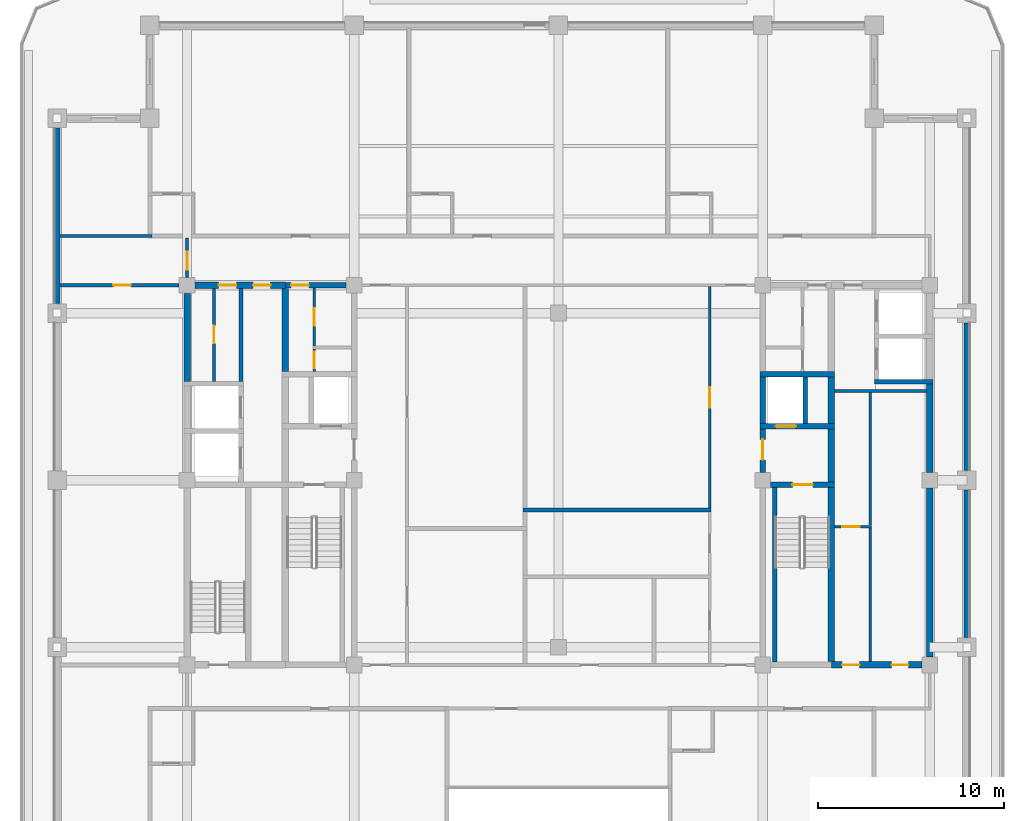
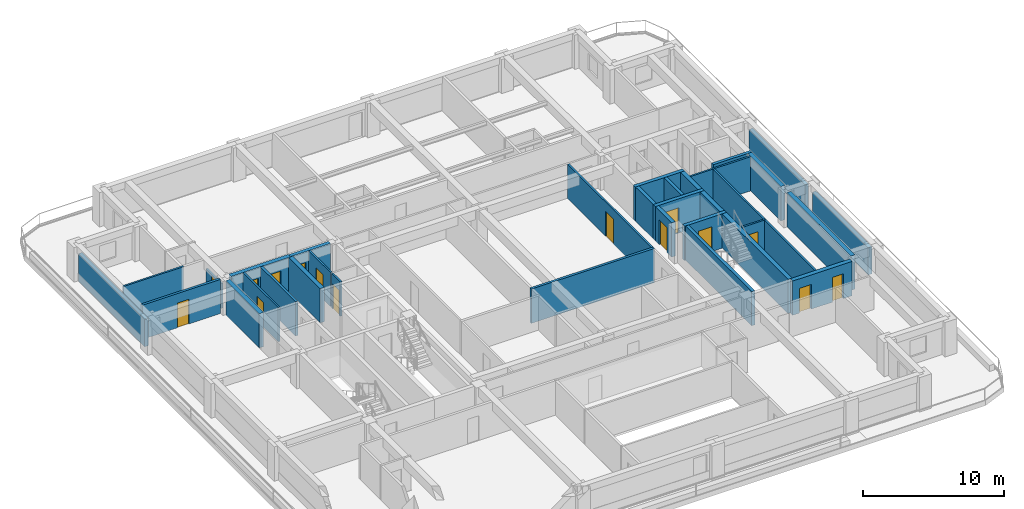
# One storey, part 4 of 13: 34 walls, 15 doors, 15 openings.
"""IFC4 building model written with IfcOpenShell, lengths in metres."""

import ifcopenshell
import ifcopenshell.guid

model = None  # the IFC model being written
_history = None  # IfcOwnerHistory: only IFC2X3 demands one
_inside = {}  # id of a spatial element -> (the spatial element, [elements in it])
_under = {}  # id of a project, library or spatial element -> (it, [spatial elements below it])
_declared = {}  # id of a project -> (the project, [libraries it declares])
_typed = {}  # id of a type object -> (the type object, [elements of that type])
_made_of = {}  # id of a material, layer set ... -> (it, [elements and type objects made of it])


def new_model(schema):
    """Start an empty IFC model of exactly this schema.

    Asked for "IFC4X3", IfcOpenShell would pick the latest addendum, in which some entities
    have other attributes; the version numbers below select the first issue.
    IFC2X3 requires an IfcOwnerHistory on every rooted entity: one is made here for all.
    """
    global model, _history
    if schema == "IFC4X3":
        model = ifcopenshell.file(schema_version=(4, 3, 0, 0))
    else:
        model = ifcopenshell.file(schema=schema)
    _inside.clear()
    _under.clear()
    _declared.clear()
    _typed.clear()
    _made_of.clear()
    _history = None
    if model.schema == "IFC2X3":
        org = make("IfcOrganization", Name="unknown")
        user = make(
            "IfcPersonAndOrganization",
            ThePerson=make("IfcPerson", FamilyName="unknown"),
            TheOrganization=org,
        )
        app = make(
            "IfcApplication",
            ApplicationDeveloper=org,
            Version="unknown",
            ApplicationFullName="unknown",
            ApplicationIdentifier="unknown",
        )
        _history = make(
            "IfcOwnerHistory",
            OwningUser=user,
            OwningApplication=app,
            ChangeAction="ADDED",
            CreationDate=0,
        )
    return model


def make(cls, **values):
    """One entity of the class cls with the attributes given. An attribute that is None is left unset."""
    return model.create_entity(
        cls, **{name: value for name, value in values.items() if value is not None}
    )


def rooted(cls, **values):
    """An entity with a GlobalId (a new one), such as an element, a storey or a relation."""
    return make(cls, GlobalId=ifcopenshell.guid.new(), OwnerHistory=_history, **values)


def si_unit(unit_type, name, prefix=None):
    """IfcSIUnit, for example si_unit("LENGTHUNIT", "METRE", prefix="MILLI")."""
    return make("IfcSIUnit", UnitType=unit_type, Prefix=prefix, Name=name)


def assignment(units):
    """IfcUnitAssignment: the units of a project."""
    return None if units is None else make("IfcUnitAssignment", Units=units)


def point(xyz):
    """IfcCartesianPoint."""
    return None if xyz is None else make("IfcCartesianPoint", Coordinates=xyz)


def direction(xyz):
    """IfcDirection."""
    return None if xyz is None else make("IfcDirection", DirectionRatios=xyz)


def frame(location, z_axis=None, x_axis=None):
    """IfcAxis2Placement3D, a coordinate frame: its origin and axes. An axis left out is left unset."""
    return make(
        "IfcAxis2Placement3D",
        Location=point(location),
        Axis=direction(z_axis),
        RefDirection=direction(x_axis),
    )


def frame_2d(location, x_axis=None):
    """IfcAxis2Placement2D, a coordinate frame in the plane: its origin and x axis."""
    return make(
        "IfcAxis2Placement2D", Location=point(location), RefDirection=direction(x_axis)
    )


def origin():
    """The frame at (0, 0, 0) with its axes left unset."""
    return frame((0.0, 0.0, 0.0))


def place(relative_to, where):
    """IfcLocalPlacement: puts the frame where relative to a parent placement (None: the world)."""
    return make(
        "IfcLocalPlacement", PlacementRelTo=relative_to, RelativePlacement=where
    )


def context(
    kind, dimensions, precision=None, world=None, true_north=None, identifier=None
):
    """IfcGeometricRepresentationContext, for example the 3D "Model" context."""
    return make(
        "IfcGeometricRepresentationContext",
        ContextIdentifier=identifier,
        ContextType=kind,
        CoordinateSpaceDimension=dimensions,
        Precision=precision,
        WorldCoordinateSystem=world,
        TrueNorth=true_north,
    )


def subcontext(parent, identifier, kind, view, scale=None):
    """IfcGeometricRepresentationSubContext, for example "Body" below "Model"."""
    return make(
        "IfcGeometricRepresentationSubContext",
        ContextIdentifier=identifier,
        ContextType=kind,
        ParentContext=parent,
        TargetScale=scale,
        TargetView=view,
    )


def project(units=None, contexts=None):
    """IfcProject with its units and contexts."""
    return rooted(
        "IfcProject",
        Name="project",
        RepresentationContexts=contexts,
        UnitsInContext=assignment(units),
    )


def spatial(cls, under=None, at=None, **own):
    """A site, building, storey or space (cls), placed at a placement, below another one or the project."""
    s = rooted(cls, ObjectPlacement=at, **own)
    if under is not None:
        _under.setdefault(under.id(), (under, []))[1].append(s)
    return s


def profile(cls, at=None, kind="AREA", **sizes):
    """A parametric profile (cls). Its sizes go by their IFC names, for example OverallWidth=200.0."""
    return make(cls, ProfileType=kind, Position=at, **sizes)


def rectangle(**sizes):
    """IfcRectangleProfileDef."""
    return profile("IfcRectangleProfileDef", **sizes)


def extrude(swept, where, along, depth):
    """IfcExtrudedAreaSolid: the profile swept, set in the frame where, extruded along a direction by depth."""
    return make(
        "IfcExtrudedAreaSolid",
        SweptArea=swept,
        Position=where,
        ExtrudedDirection=direction(along),
        Depth=depth,
    )


def shape(context_of_items, identifier, shape_type, items):
    """IfcShapeRepresentation: the items that make up one representation, for example the "Body"."""
    return make(
        "IfcShapeRepresentation",
        ContextOfItems=context_of_items,
        RepresentationIdentifier=identifier,
        RepresentationType=shape_type,
        Items=items,
    )


def material(Name=None, Category=None):
    """IfcMaterial."""
    return make("IfcMaterial", Name=Name, Category=Category)


def layer(
    of_material, thickness, ventilated=None, Name=None, Category=None, Priority=None
):
    """IfcMaterialLayer: one layer of a wall or slab, of a material (None: an air gap)."""
    return make(
        "IfcMaterialLayer",
        Material=of_material,
        LayerThickness=thickness,
        IsVentilated=ventilated,
        Name=Name,
        Category=Category,
        Priority=Priority,
    )


def layer_set(layers, Name=None):
    """IfcMaterialLayerSet."""
    return make("IfcMaterialLayerSet", MaterialLayers=layers, LayerSetName=Name)


def made_of(thing, what):
    """Note that an element or type object is made of a material, layer set ...; save() writes the relation."""
    if what is not None:
        _made_of.setdefault(what.id(), (what, []))[1].append(thing)
    return thing


def type_object(cls, material=None, **own):
    """A type object (cls), such as IfcWallType, which elements share."""
    return made_of(rooted(cls, **own), material)


def element(
    cls,
    number,
    at=None,
    inside=None,
    cuts=None,
    type_object=None,
    material=None,
    context=None,
    identifier="Body",
    shape_type=None,
    held_by="IfcProductDefinitionShape",
    body=None,
    shapes=None,
    **own,
):
    """One element of the class cls, such as IfcWall. Its Tag is "e" and its number.

    at: its placement. inside: the storey or other place that contains it. cuts: it is an
    opening in that element (IfcRelVoidsElement). A single representation is given by context,
    identifier, shape_type and body (its items); several are given by shapes. held_by: the class
    of the entity that holds the representations. save() writes the other relations.
    """
    e = rooted(cls, Tag="e%d" % number, ObjectPlacement=at, **own)
    if body is not None:
        shapes = [shape(context, identifier, shape_type, body)]
    if shapes is not None:
        e.Representation = make(held_by, Representations=shapes)
    if inside is not None:
        _inside.setdefault(inside.id(), (inside, []))[1].append(e)
    if cuts is not None:
        rooted(
            "IfcRelVoidsElement", RelatingBuildingElement=cuts, RelatedOpeningElement=e
        )
    if type_object is not None:
        _typed.setdefault(type_object.id(), (type_object, []))[1].append(e)
    return made_of(e, material)


def fill(opening, filler):
    """IfcRelFillsElement: the door or window that sits in an opening."""
    return rooted(
        "IfcRelFillsElement",
        RelatingOpeningElement=opening,
        RelatedBuildingElement=filler,
    )


def aggregate(whole, parts):
    """IfcRelAggregates: a whole, such as a stair, and the parts it consists of."""
    return rooted("IfcRelAggregates", RelatingObject=whole, RelatedObjects=parts)


def save(model, path):
    """Write the relations noted so far, then the file.

    IfcRelAggregates (storeys below a building ...), IfcRelContainedInSpatialStructure (elements
    in a storey), IfcRelDefinesByType, IfcRelAssociatesMaterial and IfcRelDeclares: one each for
    every whole, place, type object, material and project.
    """
    for whole, parts in _under.values():
        aggregate(whole, parts)
    for where, things in _inside.values():
        rooted(
            "IfcRelContainedInSpatialStructure",
            RelatedElements=things,
            RelatingStructure=where,
        )
    for kind, things in _typed.values():
        rooted("IfcRelDefinesByType", RelatedObjects=things, RelatingType=kind)
    for what, things in _made_of.values():
        rooted("IfcRelAssociatesMaterial", RelatedObjects=things, RelatingMaterial=what)
    for by, libraries in _declared.values():
        rooted("IfcRelDeclares", RelatingContext=by, RelatedDefinitions=libraries)
    model.write(path)


model = new_model("IFC4")

# Units and contexts
model_context = context("Model", 3, precision=1e-05, world=origin(), true_north=direction((0.0, 1.0)))
body_context = subcontext(model_context, "Body", "Model", "MODEL_VIEW")
ifc_project = project(units=[si_unit("LENGTHUNIT", "METRE"), si_unit("AREAUNIT", "SQUARE_METRE"), si_unit("VOLUMEUNIT", "CUBIC_METRE"), si_unit("PLANEANGLEUNIT", "RADIAN"), si_unit("MASSUNIT", "GRAM", prefix="KILO")], contexts=[model_context])

# Site, building, storey
site_placement = place(None, origin())
site = spatial("IfcSite", under=ifc_project, at=site_placement, CompositionType="ELEMENT")
building_placement = place(site_placement, origin())
building = spatial("IfcBuilding", under=site, at=building_placement, Name="Zulmaris Gate Convention Tower", CompositionType="ELEMENT")
storey_placement = place(building_placement, frame((0.0, 0.0, 218.659912109375)))
storey = spatial("IfcBuildingStorey", under=building, at=storey_placement, Name="L57", CompositionType="ELEMENT", Elevation=218.659912109375)

# Walls
ifc_material_1 = material(Name="Concrete C50/60", Category="concrete")
ifc_layer_1 = layer(ifc_material_1, 0.25, Name="Concrete C50/60")
ifc_layer_set_1 = layer_set([ifc_layer_1], Name="Concrete C50/60")
wall_type_1 = type_object("IfcWallType", Name="CORE-250", PredefinedType="SOLIDWALL", material=ifc_layer_set_1)
wall_1_placement = place(storey_placement, frame((17.02490234375, 5.300048828125, 0.0), z_axis=(0.0, 0.0, 1.0), x_axis=(1.0, 0.0, 0.0)))
element("IfcWall", 1, at=wall_1_placement, inside=storey, type_object=wall_type_1, Name="WL-L57-011", PredefinedType="SOLIDWALL", context=body_context, shape_type="SweptSolid", body=[
    extrude(rectangle(XDim=3.150146484375, YDim=0.25, at=frame_2d((1.5751953125, 0.0))), origin(), (0.0, 0.0, 1.0), 2.97509765625),
])
wall_2_placement = place(storey_placement, frame((11.64990234375, -9.798095703125, 0.0), z_axis=(0.0, 0.0, 1.0), x_axis=(0.0, 1.0, 0.0)))
element("IfcWall", 2, at=wall_2_placement, inside=storey, type_object=wall_type_1, Name="WL-L57-065", PredefinedType="SOLIDWALL", context=body_context, shape_type="SweptSolid", body=[
    extrude(rectangle(XDim=9.39599609375, YDim=0.25, at=frame_2d((4.697998046875, 0.0))), origin(), (0.0, 0.0, 1.0), 2.97509765625),
])
wall_3_placement = place(storey_placement, frame((13.300048828125, 3.052001953125, 0.0), z_axis=(0.0, 0.0, 1.0), x_axis=(0.0, 1.0, 0.0)))
element("IfcWall", 3, at=wall_3_placement, inside=storey, type_object=wall_type_1, Name="WL-L57-066", PredefinedType="SOLIDWALL", context=body_context, shape_type="SweptSolid", body=[
    extrude(rectangle(XDim=2.49609375, YDim=0.25, at=frame_2d((1.248046875, 0.0))), origin(), (0.0, 0.0, 1.0), 2.97509765625),
])

# Wall, opening, door
ifc_layer_2 = layer(ifc_material_1, 0.300048828125, Name="Concrete C50/60")
ifc_layer_set_2 = layer_set([ifc_layer_2], Name="Concrete C50/60")
wall_type_2 = type_object("IfcWallType", Name="CORE-300", PredefinedType="SHEAR", material=ifc_layer_set_2)
wall_4_placement = place(storey_placement, frame((11.428955078125, -0.25, 0.0), z_axis=(0.0, 0.0, 1.0), x_axis=(1.0, 0.0, 0.0)))
wall_4 = element("IfcWall", 4, at=wall_4_placement, inside=storey, type_object=wall_type_2, Name="WL-L57-006", PredefinedType="SHEAR", context=body_context, shape_type="SweptSolid", body=[
    extrude(rectangle(XDim=3.446044921875, YDim=0.300048828125, at=frame_2d((1.72314453125, 0.0))), origin(), (0.0, 0.0, 1.0), 2.97509765625),
])
opening_1_placement = place(wall_4_placement, frame((1.1708984375, 0.0, 0.0)))
opening_1 = element("IfcOpeningElement", 5, at=opening_1_placement, cuts=wall_4, Name="Opening D-08", PredefinedType="OPENING", context=body_context, shape_type="SweptSolid", body=[
    extrude(rectangle(XDim=1.10009765625, YDim=2.14990234375, at=frame_2d((0.550048828125, 1.074951171875))), frame((0.0, 0.16015625, 0.0), z_axis=(0.0, -1.0, 0.0), x_axis=(1.0, 0.0, 0.0)), (0.0, 0.0, 1.0), 0.320068359375),
])
ifc_material_2 = material(Name="Fire-Rated Steel", Category="steel")
door_type_1 = type_object("IfcDoorType", Name="DR-1100-FD", OperationType="NOTDEFINED", PredefinedType="DOOR", material=ifc_material_2)
door_1_placement = place(opening_1_placement, origin())
door_1 = element("IfcDoor", 6, at=door_1_placement, inside=storey, type_object=door_type_1, Name="L57 Exit Stair ST-2 Door 04", OperationType="SINGLE_SWING_RIGHT", OverallHeight=2.14990234375, OverallWidth=1.10009765625, PredefinedType="DOOR", context=body_context, shape_type="SweptSolid", body=[
    extrude(rectangle(XDim=1.10009765625, YDim=2.14990234375, at=frame_2d((0.550048828125, 1.074951171875))), frame((0.0, 0.02490234375, 0.0), z_axis=(0.0, -1.0, 0.0), x_axis=(1.0, 0.0, 0.0)), (0.0, 0.0, 1.0), 0.050048828125),
])
fill(opening_1, door_1)

wall_5_placement = place(storey_placement, frame((10.85009765625, 2.89990234375, 0.0), z_axis=(0.0, 0.0, 1.0), x_axis=(1.0, 0.0, 0.0)))
wall_5 = element("IfcWall", 7, at=wall_5_placement, inside=storey, type_object=wall_type_2, Name="WL-L57-009", PredefinedType="SHEAR", context=body_context, shape_type="SweptSolid", body=[
    extrude(rectangle(XDim=4.02490234375, YDim=0.300048828125, at=frame_2d((2.012451171875, 0.0))), origin(), (0.0, 0.0, 1.0), 2.97509765625),
])
opening_2_placement = place(wall_5_placement, frame((0.85009765625, 0.0, 0.0)))
opening_2 = element("IfcOpeningElement", 8, at=opening_2_placement, cuts=wall_5, Name="Opening D-06", PredefinedType="OPENING", context=body_context, shape_type="SweptSolid", body=[
    extrude(rectangle(XDim=1.10009765625, YDim=2.199951171875, at=frame_2d((0.550048828125, 1.10009765625))), frame((0.0, 0.16015625, 0.0), z_axis=(0.0, -1.0, 0.0), x_axis=(1.0, 0.0, 0.0)), (0.0, 0.0, 1.0), 0.320068359375),
])
ifc_material_3 = material(Name="Brushed Stainless Steel", Category="steel")
door_type_2 = type_object("IfcDoorType", Name="LD-1100", OperationType="NOTDEFINED", PredefinedType="DOOR", material=ifc_material_3)
door_2_placement = place(opening_2_placement, origin())
door_2 = element("IfcDoor", 9, at=door_2_placement, inside=storey, type_object=door_type_2, Name="L57 Lift Landing Door LF-02 06", OperationType="SLIDING_TO_RIGHT", OverallHeight=2.199951171875, OverallWidth=1.10009765625, PredefinedType="DOOR", context=body_context, shape_type="SweptSolid", body=[
    extrude(rectangle(XDim=1.10009765625, YDim=2.199951171875, at=frame_2d((0.550048828125, 1.10009765625))), frame((0.0, 0.02490234375, 0.0), z_axis=(0.0, -1.0, 0.0), x_axis=(1.0, 0.0, 0.0)), (0.0, 0.0, 1.0), 0.050048828125),
])
fill(opening_2, door_2)

# Wall
wall_6_placement = place(storey_placement, frame((10.85009765625, 5.699951171875, 0.0), z_axis=(0.0, 0.0, 1.0), x_axis=(1.0, 0.0, 0.0)))
element("IfcWall", 10, at=wall_6_placement, inside=storey, type_object=wall_type_2, Name="WL-L57-013", PredefinedType="SHEAR", context=body_context, shape_type="SweptSolid", body=[
    extrude(rectangle(XDim=4.02490234375, YDim=0.300048828125, at=frame_2d((2.012451171875, 0.0))), origin(), (0.0, 0.0, 1.0), 2.97509765625),
])

# Wall, opening, door
wall_7_placement = place(storey_placement, frame((-14.699951171875, 10.5, 0.0), z_axis=(0.0, 0.0, 1.0), x_axis=(1.0, 0.0, 0.0)))
wall_7 = element("IfcWall", 11, at=wall_7_placement, inside=storey, type_object=wall_type_2, Name="WL-L57-016", PredefinedType="SHEAR", context=body_context, shape_type="SweptSolid", body=[
    extrude(rectangle(XDim=3.27099609375, YDim=0.300048828125, at=frame_2d((1.635498046875, 0.0))), origin(), (0.0, 0.0, 1.0), 2.97509765625),
])
opening_3_placement = place(wall_7_placement, frame((0.304931640625, 0.0, 0.0)))
opening_3 = element("IfcOpeningElement", 12, at=opening_3_placement, cuts=wall_7, Name="Opening D-25", PredefinedType="OPENING", context=body_context, shape_type="SweptSolid", body=[
    extrude(rectangle(XDim=0.949951171875, YDim=2.02001953125, at=frame_2d((0.47509765625, 1.010009765625))), frame((0.0, 0.16015625, 0.0), z_axis=(0.0, -1.0, 0.0), x_axis=(1.0, 0.0, 0.0)), (0.0, 0.0, 1.0), 0.320068359375),
])
door_type_3 = type_object("IfcDoorType", Name="DR-950-LOW-FD", OperationType="NOTDEFINED", PredefinedType="DOOR", material=ifc_material_2)
door_3_placement = place(opening_3_placement, origin())
door_3 = element("IfcDoor", 13, at=door_3_placement, inside=storey, type_object=door_type_3, Name="L57 Core West Passage Door 07", OperationType="SINGLE_SWING_RIGHT", OverallHeight=2.02001953125, OverallWidth=0.949951171875, PredefinedType="DOOR", context=body_context, shape_type="SweptSolid", body=[
    extrude(rectangle(XDim=0.949951171875, YDim=2.02001953125, at=frame_2d((0.47509765625, 1.010009765625))), frame((0.0, 0.02490234375, 0.0), z_axis=(0.0, -1.0, 0.0), x_axis=(1.0, 0.0, 0.0)), (0.0, 0.0, 1.0), 0.050048828125),
])
fill(opening_3, door_3)

wall_8_placement = place(storey_placement, frame((11.0, 0.428955078125, 0.0), z_axis=(0.0, 0.0, 1.0), x_axis=(0.0, 1.0, 0.0)))
wall_8 = element("IfcWall", 14, at=wall_8_placement, inside=storey, type_object=wall_type_2, Name="WL-L57-062", PredefinedType="SHEAR", context=body_context, shape_type="SweptSolid", body=[
    extrude(rectangle(XDim=2.319091796875, YDim=0.300048828125, at=frame_2d((1.15966796875, 0.0))), origin(), (0.0, 0.0, 1.0), 2.97509765625),
])
opening_4_placement = place(wall_8_placement, frame((0.6708984375, 0.0, 0.0)))
opening_4 = element("IfcOpeningElement", 15, at=opening_4_placement, cuts=wall_8, Name="Opening D-08", PredefinedType="OPENING", context=body_context, shape_type="SweptSolid", body=[
    extrude(rectangle(XDim=1.10009765625, YDim=2.14990234375, at=frame_2d((0.550048828125, 1.074951171875))), frame((0.0, 0.16015625, 0.0), z_axis=(0.0, -1.0, 0.0), x_axis=(1.0, 0.0, 0.0)), (0.0, 0.0, 1.0), 0.320068359375),
])
door_4_placement = place(opening_4_placement, origin())
door_4 = element("IfcDoor", 16, at=door_4_placement, inside=storey, type_object=door_type_1, Name="L57 East Firefighting Lobby Door 05", OperationType="SINGLE_SWING_LEFT", OverallHeight=2.14990234375, OverallWidth=1.10009765625, PredefinedType="DOOR", context=body_context, shape_type="SweptSolid", body=[
    extrude(rectangle(XDim=1.10009765625, YDim=2.14990234375, at=frame_2d((0.550048828125, 1.074951171875))), frame((0.0, 0.02490234375, 0.0), z_axis=(0.0, -1.0, 0.0), x_axis=(1.0, 0.0, 0.0)), (0.0, 0.0, 1.0), 0.050048828125),
])
fill(opening_4, door_4)

# Wall
wall_9_placement = place(storey_placement, frame((11.0, 3.052001953125, 0.0), z_axis=(0.0, 0.0, 1.0), x_axis=(0.0, 1.0, 0.0)))
element("IfcWall", 17, at=wall_9_placement, inside=storey, type_object=wall_type_2, Name="WL-L57-063", PredefinedType="SHEAR", context=body_context, shape_type="SweptSolid", body=[
    extrude(rectangle(XDim=2.49609375, YDim=0.300048828125, at=frame_2d((1.248046875, 0.0))), origin(), (0.0, 0.0, 1.0), 2.97509765625),
])

# Wall, openings, doors
ifc_material_4 = material(Name="Concrete C55/67", Category="concrete")
ifc_layer_3 = layer(ifc_material_4, 0.35009765625, Name="Concrete C55/67")
ifc_layer_set_3 = layer_set([ifc_layer_3], Name="Concrete C55/67")
wall_type_3 = type_object("IfcWallType", Name="CORE-350", PredefinedType="SHEAR", material=ifc_layer_set_3)
wall_10_placement = place(storey_placement, frame((14.699951171875, -9.949951171875, 0.0), z_axis=(0.0, 0.0, 1.0), x_axis=(1.0, 0.0, 0.0)))
wall_10 = element("IfcWall", 18, at=wall_10_placement, inside=storey, type_object=wall_type_3, Name="WL-L57-004", PredefinedType="SHEAR", context=body_context, shape_type="SweptSolid", body=[
    extrude(rectangle(XDim=4.87109375, YDim=0.35009765625, at=frame_2d((2.435546875, 0.0))), origin(), (0.0, 0.0, 1.0), 2.97509765625),
])
opening_5_placement = place(wall_10_placement, frame((3.25, 0.0, 0.0)))
opening_5 = element("IfcOpeningElement", 19, at=opening_5_placement, cuts=wall_10, Name="Opening D-12", PredefinedType="OPENING", context=body_context, shape_type="SweptSolid", body=[
    extrude(rectangle(XDim=0.89990234375, YDim=2.14990234375, at=frame_2d((0.449951171875, 1.074951171875))), frame((0.0, 0.18505859375, 0.0), z_axis=(0.0, -1.0, 0.0), x_axis=(1.0, 0.0, 0.0)), (0.0, 0.0, 1.0), 0.3701171875),
])
opening_6_placement = place(wall_10_placement, frame((0.574951171875, 0.0, 0.0)))
opening_6 = element("IfcOpeningElement", 20, at=opening_6_placement, cuts=wall_10, Name="Opening D-11", PredefinedType="OPENING", context=body_context, shape_type="SweptSolid", body=[
    extrude(rectangle(XDim=0.949951171875, YDim=2.14990234375, at=frame_2d((0.47509765625, 1.074951171875))), frame((0.0, 0.18505859375, 0.0), z_axis=(0.0, -1.0, 0.0), x_axis=(1.0, 0.0, 0.0)), (0.0, 0.0, 1.0), 0.3701171875),
])
ifc_material_5 = material(Name="Fire-Rated Timber", Category="wood")
door_type_4 = type_object("IfcDoorType", Name="DR-900-FD", OperationType="NOTDEFINED", PredefinedType="DOOR", material=ifc_material_5)
door_5_placement = place(opening_5_placement, origin())
door_5 = element("IfcDoor", 21, at=door_5_placement, inside=storey, type_object=door_type_4, Name="L57 Core IT Room Door 22", OperationType="SINGLE_SWING_LEFT", OverallHeight=2.14990234375, OverallWidth=0.89990234375, PredefinedType="DOOR", context=body_context, shape_type="SweptSolid", body=[
    extrude(rectangle(XDim=0.89990234375, YDim=2.14990234375, at=frame_2d((0.449951171875, 1.074951171875))), frame((0.0, 0.02490234375, 0.0), z_axis=(0.0, -1.0, 0.0), x_axis=(1.0, 0.0, 0.0)), (0.0, 0.0, 1.0), 0.050048828125),
])
fill(opening_5, door_5)
door_type_5 = type_object("IfcDoorType", Name="DR-950-FD", OperationType="NOTDEFINED", PredefinedType="DOOR", material=ifc_material_5)
door_6_placement = place(opening_6_placement, origin())
door_6 = element("IfcDoor", 22, at=door_6_placement, inside=storey, type_object=door_type_5, Name="L57 Guest Pantry Door 23", OperationType="SINGLE_SWING_RIGHT", OverallHeight=2.14990234375, OverallWidth=0.949951171875, PredefinedType="DOOR", context=body_context, shape_type="SweptSolid", body=[
    extrude(rectangle(XDim=0.949951171875, YDim=2.14990234375, at=frame_2d((0.47509765625, 1.074951171875))), frame((0.0, 0.02490234375, 0.0), z_axis=(0.0, -1.0, 0.0), x_axis=(1.0, 0.0, 0.0)), (0.0, 0.0, 1.0), 0.050048828125),
])
fill(opening_6, door_6)

wall_11_placement = place(storey_placement, frame((-19.571044921875, 10.5, 0.0), z_axis=(0.0, 0.0, 1.0), x_axis=(1.0, 0.0, 0.0)))
wall_11 = element("IfcWall", 23, at=wall_11_placement, inside=storey, type_object=wall_type_3, Name="WL-L57-015", PredefinedType="SHEAR", context=body_context, shape_type="SweptSolid", body=[
    extrude(rectangle(XDim=4.87109375, YDim=0.35009765625, at=frame_2d((2.435546875, 0.0))), origin(), (0.0, 0.0, 1.0), 2.97509765625),
])
opening_7_placement = place(wall_11_placement, frame((3.12109375, 0.0, 0.0)))
opening_7 = element("IfcOpeningElement", 24, at=opening_7_placement, cuts=wall_11, Name="Opening D-25", PredefinedType="OPENING", context=body_context, shape_type="SweptSolid", body=[
    extrude(rectangle(XDim=0.949951171875, YDim=2.02001953125, at=frame_2d((0.47509765625, 1.010009765625))), frame((0.0, 0.18505859375, 0.0), z_axis=(0.0, -1.0, 0.0), x_axis=(1.0, 0.0, 0.0)), (0.0, 0.0, 1.0), 0.3701171875),
])
opening_8_placement = place(wall_11_placement, frame((1.27587890625, 0.0, 0.0)))
opening_8 = element("IfcOpeningElement", 25, at=opening_8_placement, cuts=wall_11, Name="Opening D-25", PredefinedType="OPENING", context=body_context, shape_type="SweptSolid", body=[
    extrude(rectangle(XDim=0.949951171875, YDim=2.02001953125, at=frame_2d((0.47509765625, 1.010009765625))), frame((0.0, 0.18505859375, 0.0), z_axis=(0.0, -1.0, 0.0), x_axis=(1.0, 0.0, 0.0)), (0.0, 0.0, 1.0), 0.3701171875),
])
door_7_placement = place(opening_7_placement, origin())
door_7 = element("IfcDoor", 26, at=door_7_placement, inside=storey, type_object=door_type_3, Name="L57 High-Rise West Lift Lobby Door 16", OperationType="SINGLE_SWING_LEFT", OverallHeight=2.02001953125, OverallWidth=0.949951171875, PredefinedType="DOOR", context=body_context, shape_type="SweptSolid", body=[
    extrude(rectangle(XDim=0.949951171875, YDim=2.02001953125, at=frame_2d((0.47509765625, 1.010009765625))), frame((0.0, 0.02490234375, 0.0), z_axis=(0.0, -1.0, 0.0), x_axis=(1.0, 0.0, 0.0)), (0.0, 0.0, 1.0), 0.050048828125),
])
fill(opening_7, door_7)
door_8_placement = place(opening_8_placement, origin())
door_8 = element("IfcDoor", 27, at=door_8_placement, inside=storey, type_object=door_type_3, Name="L57 Tray Closet Door 17", OperationType="SINGLE_SWING_RIGHT", OverallHeight=2.02001953125, OverallWidth=0.949951171875, PredefinedType="DOOR", context=body_context, shape_type="SweptSolid", body=[
    extrude(rectangle(XDim=0.949951171875, YDim=2.02001953125, at=frame_2d((0.47509765625, 1.010009765625))), frame((0.0, 0.02490234375, 0.0), z_axis=(0.0, -1.0, 0.0), x_axis=(1.0, 0.0, 0.0)), (0.0, 0.0, 1.0), 0.050048828125),
])
fill(opening_8, door_8)

# Walls
wall_12_placement = place(storey_placement, frame((-20.0, 5.326904296875, 0.0), z_axis=(0.0, 0.0, 1.0), x_axis=(0.0, 1.0, 0.0)))
element("IfcWall", 28, at=wall_12_placement, inside=storey, type_object=wall_type_3, Name="WL-L57-047", PredefinedType="SHEAR", context=body_context, shape_type="SweptSolid", body=[
    extrude(rectangle(XDim=4.744140625, YDim=0.35009765625, at=frame_2d((2.3720703125, 0.0))), origin(), (0.0, 0.0, 1.0), 2.97509765625),
])
wall_13_placement = place(storey_placement, frame((-14.699951171875, 5.85205078125, 0.0), z_axis=(0.0, 0.0, 1.0), x_axis=(0.0, 1.0, 0.0)))
element("IfcWall", 29, at=wall_13_placement, inside=storey, type_object=wall_type_3, Name="WL-L57-054", PredefinedType="SHEAR", context=body_context, shape_type="SweptSolid", body=[
    extrude(rectangle(XDim=4.470947265625, YDim=0.35009765625, at=frame_2d((2.2353515625, 0.0))), origin(), (0.0, 0.0, 1.0), 2.97509765625),
])
wall_14_placement = place(storey_placement, frame((14.699951171875, -9.77294921875, 0.0), z_axis=(0.0, 0.0, 1.0), x_axis=(0.0, 1.0, 0.0)))
element("IfcWall", 30, at=wall_14_placement, inside=storey, type_object=wall_type_3, Name="WL-L57-067", PredefinedType="SHEAR", context=body_context, shape_type="SweptSolid", body=[
    extrude(rectangle(XDim=9.370849609375, YDim=0.35009765625, at=frame_2d((4.685546875, 0.0))), origin(), (0.0, 0.0, 1.0), 2.97509765625),
])
wall_15_placement = place(storey_placement, frame((14.699951171875, -0.097900390625, 0.0), z_axis=(0.0, 0.0, 1.0), x_axis=(0.0, 1.0, 0.0)))
element("IfcWall", 31, at=wall_15_placement, inside=storey, type_object=wall_type_3, Name="WL-L57-068", PredefinedType="SHEAR", context=body_context, shape_type="SweptSolid", body=[
    extrude(rectangle(XDim=2.845947265625, YDim=0.35009765625, at=frame_2d((1.4228515625, 0.0))), origin(), (0.0, 0.0, 1.0), 2.97509765625),
])
wall_16_placement = place(storey_placement, frame((14.699951171875, 3.052001953125, 0.0), z_axis=(0.0, 0.0, 1.0), x_axis=(0.0, 1.0, 0.0)))
element("IfcWall", 32, at=wall_16_placement, inside=storey, type_object=wall_type_3, Name="WL-L57-069", PredefinedType="SHEAR", context=body_context, shape_type="SweptSolid", body=[
    extrude(rectangle(XDim=2.49609375, YDim=0.35009765625, at=frame_2d((1.248046875, 0.0))), origin(), (0.0, 0.0, 1.0), 2.97509765625),
])
wall_17_placement = place(storey_placement, frame((20.0, -9.52099609375, 0.0), z_axis=(0.0, 0.0, 1.0), x_axis=(0.0, 1.0, 0.0)))
element("IfcWall", 33, at=wall_17_placement, inside=storey, type_object=wall_type_3, Name="WL-L57-073", PredefinedType="SHEAR", context=body_context, shape_type="SweptSolid", body=[
    extrude(rectangle(XDim=9.092041015625, YDim=0.35009765625, at=frame_2d((4.5458984375, 0.0))), origin(), (0.0, 0.0, 1.0), 2.97509765625),
])
wall_18_placement = place(storey_placement, frame((20.0, 0.428955078125, 0.0), z_axis=(0.0, 0.0, 1.0), x_axis=(0.0, 1.0, 0.0)))
element("IfcWall", 34, at=wall_18_placement, inside=storey, type_object=wall_type_3, Name="WL-L57-073S1", PredefinedType="SHEAR", context=body_context, shape_type="SweptSolid", body=[
    extrude(rectangle(XDim=4.744140625, YDim=0.35009765625, at=frame_2d((2.3720703125, 0.0))), origin(), (0.0, 0.0, 1.0), 2.97509765625),
])

# Wall, opening, door
ifc_material_6 = material(Name="Gypsum Metal Stud Partition")
ifc_layer_4 = layer(ifc_material_6, 0.14990234375, Name="Gypsum Metal Stud Partition")
ifc_layer_set_4 = layer_set([ifc_layer_4], Name="Gypsum Metal Stud Partition")
wall_type_4 = type_object("IfcWallType", Name="PART-150", PredefinedType="PARTITIONING", material=ifc_layer_set_4)
wall_19_placement = place(storey_placement, frame((14.8779296875, -2.5, 0.0), z_axis=(0.0, 0.0, 1.0), x_axis=(1.0, 0.0, 0.0)))
wall_19 = element("IfcWall", 35, at=wall_19_placement, inside=storey, type_object=wall_type_4, Name="WL-L57-031", PredefinedType="PARTITIONING", context=body_context, shape_type="SweptSolid", body=[
    extrude(rectangle(XDim=1.9970703125, YDim=0.14990234375, at=frame_2d((0.99853515625, 0.0))), origin(), (0.0, 0.0, 1.0), 2.97509765625),
])
opening_9_placement = place(wall_19_placement, frame((0.39697265625, 0.0, 0.0)))
opening_9 = element("IfcOpeningElement", 36, at=opening_9_placement, cuts=wall_19, Name="Opening D-11", PredefinedType="OPENING", context=body_context, shape_type="SweptSolid", body=[
    extrude(rectangle(XDim=0.949951171875, YDim=2.14990234375, at=frame_2d((0.47509765625, 1.074951171875))), frame((0.0, 0.0849609375, 0.0), z_axis=(0.0, -1.0, 0.0), x_axis=(1.0, 0.0, 0.0)), (0.0, 0.0, 1.0), 0.169921875),
])
door_9_placement = place(opening_9_placement, origin())
door_9 = element("IfcDoor", 37, at=door_9_placement, inside=storey, type_object=door_type_5, Name="L57 Supply Closet Door 24", OperationType="SINGLE_SWING_LEFT", OverallHeight=2.14990234375, OverallWidth=0.949951171875, PredefinedType="DOOR", context=body_context, shape_type="SweptSolid", body=[
    extrude(rectangle(XDim=0.949951171875, YDim=2.14990234375, at=frame_2d((0.47509765625, 1.074951171875))), frame((0.0, 0.02490234375, 0.0), z_axis=(0.0, -1.0, 0.0), x_axis=(1.0, 0.0, 0.0)), (0.0, 0.0, 1.0), 0.050048828125),
])
fill(opening_9, door_9)

# Walls
wall_20_placement = place(storey_placement, frame((14.8779296875, 4.800048828125, 0.0), z_axis=(0.0, 0.0, 1.0), x_axis=(1.0, 0.0, 0.0)))
element("IfcWall", 38, at=wall_20_placement, inside=storey, type_object=wall_type_4, Name="WL-L57-033", PredefinedType="PARTITIONING", context=body_context, shape_type="SweptSolid", body=[
    extrude(rectangle(XDim=4.944091796875, YDim=0.14990234375, at=frame_2d((2.47216796875, 0.0))), origin(), (0.0, 0.0, 1.0), 2.97509765625),
])
wall_21_placement = place(storey_placement, frame((-26.8349609375, 13.14990234375, 0.0), z_axis=(0.0, 0.0, 1.0), x_axis=(1.0, 0.0, 0.0)))
element("IfcWall", 39, at=wall_21_placement, inside=storey, type_object=wall_type_4, Name="WL-L57-038", PredefinedType="PARTITIONING", context=body_context, shape_type="SweptSolid", body=[
    extrude(rectangle(XDim=4.93505859375, YDim=0.14990234375, at=frame_2d((2.467529296875, 0.0))), origin(), (0.0, 0.0, 1.0), 2.97509765625),
])

# Wall, opening, door
wall_22_placement = place(storey_placement, frame((-20.0, 10.930908203125, 0.0), z_axis=(0.0, 0.0, 1.0), x_axis=(0.0, 1.0, 0.0)))
wall_22 = element("IfcWall", 40, at=wall_22_placement, inside=storey, type_object=wall_type_4, Name="WL-L57-081", PredefinedType="PARTITIONING", context=body_context, shape_type="SweptSolid", body=[
    extrude(rectangle(XDim=2.1162109375, YDim=0.14990234375, at=frame_2d((1.05810546875, 0.0))), origin(), (0.0, 0.0, 1.0), 2.167236328125),
])
opening_10_placement = place(wall_22_placement, frame((0.4140625, 0.0, 0.0)))
opening_10 = element("IfcOpeningElement", 41, at=opening_10_placement, cuts=wall_22, Name="Opening D-25", PredefinedType="OPENING", context=body_context, shape_type="SweptSolid", body=[
    extrude(rectangle(XDim=0.949951171875, YDim=2.02001953125, at=frame_2d((0.47509765625, 1.010009765625))), frame((0.0, 0.0849609375, 0.0), z_axis=(0.0, -1.0, 0.0), x_axis=(1.0, 0.0, 0.0)), (0.0, 0.0, 1.0), 0.169921875),
])
door_10_placement = place(opening_10_placement, origin())
door_10 = element("IfcDoor", 42, at=door_10_placement, inside=storey, type_object=door_type_3, Name="L57 West Spur Door 48", OperationType="SINGLE_SWING_LEFT", OverallHeight=2.02001953125, OverallWidth=0.949951171875, PredefinedType="DOOR", context=body_context, shape_type="SweptSolid", body=[
    extrude(rectangle(XDim=0.949951171875, YDim=2.02001953125, at=frame_2d((0.47509765625, 1.010009765625))), frame((0.0, 0.02490234375, 0.0), z_axis=(0.0, -1.0, 0.0), x_axis=(1.0, 0.0, 0.0)), (0.0, 0.0, 1.0), 0.050048828125),
])
fill(opening_10, door_10)

wall_23_placement = place(storey_placement, frame((-18.550048828125, 5.327880859375, 0.0), z_axis=(0.0, 0.0, 1.0), x_axis=(0.0, 1.0, 0.0)))
wall_23 = element("IfcWall", 43, at=wall_23_placement, inside=storey, type_object=wall_type_4, Name="WL-L57-084", PredefinedType="PARTITIONING", context=body_context, shape_type="SweptSolid", body=[
    extrude(rectangle(XDim=4.994140625, YDim=0.14990234375, at=frame_2d((2.4970703125, 0.0))), origin(), (0.0, 0.0, 1.0), 2.97509765625),
])
opening_11_placement = place(wall_23_placement, frame((2.047119140625, 0.0, 0.0)))
opening_11 = element("IfcOpeningElement", 44, at=opening_11_placement, cuts=wall_23, Name="Opening D-11", PredefinedType="OPENING", context=body_context, shape_type="SweptSolid", body=[
    extrude(rectangle(XDim=0.949951171875, YDim=2.14990234375, at=frame_2d((0.47509765625, 1.074951171875))), frame((0.0, 0.0849609375, 0.0), z_axis=(0.0, -1.0, 0.0), x_axis=(1.0, 0.0, 0.0)), (0.0, 0.0, 1.0), 0.169921875),
])
door_11_placement = place(opening_11_placement, origin())
door_11 = element("IfcDoor", 45, at=door_11_placement, inside=storey, type_object=door_type_5, Name="L57 Housekeeping Door 18", OperationType="SINGLE_SWING_LEFT", OverallHeight=2.14990234375, OverallWidth=0.949951171875, PredefinedType="DOOR", context=body_context, shape_type="SweptSolid", body=[
    extrude(rectangle(XDim=0.949951171875, YDim=2.14990234375, at=frame_2d((0.47509765625, 1.074951171875))), frame((0.0, 0.02490234375, 0.0), z_axis=(0.0, -1.0, 0.0), x_axis=(1.0, 0.0, 0.0)), (0.0, 0.0, 1.0), 0.050048828125),
])
fill(opening_11, door_11)

wall_24_placement = place(storey_placement, frame((-13.14990234375, 5.85302734375, 0.0), z_axis=(0.0, 0.0, 1.0), x_axis=(0.0, 1.0, 0.0)))
wall_24 = element("IfcWall", 46, at=wall_24_placement, inside=storey, type_object=wall_type_4, Name="WL-L57-086", PredefinedType="PARTITIONING", context=body_context, shape_type="SweptSolid", body=[
    extrude(rectangle(XDim=1.218994140625, YDim=0.14990234375, at=frame_2d((0.609375, 0.0))), origin(), (0.0, 0.0, 1.0), 2.97509765625),
])
opening_12_placement = place(wall_24_placement, frame((0.1689453125, 0.0, 0.0)))
opening_12 = element("IfcOpeningElement", 47, at=opening_12_placement, cuts=wall_24, Name="Opening D-12", PredefinedType="OPENING", context=body_context, shape_type="SweptSolid", body=[
    extrude(rectangle(XDim=0.89990234375, YDim=2.14990234375, at=frame_2d((0.449951171875, 1.074951171875))), frame((0.0, 0.0849609375, 0.0), z_axis=(0.0, -1.0, 0.0), x_axis=(1.0, 0.0, 0.0)), (0.0, 0.0, 1.0), 0.169921875),
])
door_12_placement = place(opening_12_placement, origin())
door_12 = element("IfcDoor", 48, at=door_12_placement, inside=storey, type_object=door_type_4, Name="L57 Stationery Closet Door 08", OperationType="SINGLE_SWING_LEFT", OverallHeight=2.14990234375, OverallWidth=0.89990234375, PredefinedType="DOOR", context=body_context, shape_type="SweptSolid", body=[
    extrude(rectangle(XDim=0.89990234375, YDim=2.14990234375, at=frame_2d((0.449951171875, 1.074951171875))), frame((0.0, 0.02490234375, 0.0), z_axis=(0.0, -1.0, 0.0), x_axis=(1.0, 0.0, 0.0)), (0.0, 0.0, 1.0), 0.050048828125),
])
fill(opening_12, door_12)

wall_25_placement = place(storey_placement, frame((-13.14990234375, 7.22802734375, 0.0), z_axis=(0.0, 0.0, 1.0), x_axis=(0.0, 1.0, 0.0)))
wall_25 = element("IfcWall", 49, at=wall_25_placement, inside=storey, type_object=wall_type_4, Name="WL-L57-087", PredefinedType="PARTITIONING", context=body_context, shape_type="SweptSolid", body=[
    extrude(rectangle(XDim=3.118896484375, YDim=0.14990234375, at=frame_2d((1.5595703125, 0.0))), origin(), (0.0, 0.0, 1.0), 2.97509765625),
])
opening_13_placement = place(wall_25_placement, frame((1.096923828125, 0.0, 0.0)))
opening_13 = element("IfcOpeningElement", 50, at=opening_13_placement, cuts=wall_25, Name="Opening D-11", PredefinedType="OPENING", context=body_context, shape_type="SweptSolid", body=[
    extrude(rectangle(XDim=0.949951171875, YDim=2.14990234375, at=frame_2d((0.47509765625, 1.074951171875))), frame((0.0, 0.0849609375, 0.0), z_axis=(0.0, -1.0, 0.0), x_axis=(1.0, 0.0, 0.0)), (0.0, 0.0, 1.0), 0.169921875),
])
door_13_placement = place(opening_13_placement, origin())
door_13 = element("IfcDoor", 51, at=door_13_placement, inside=storey, type_object=door_type_5, Name="L57 Meter Closet Door 09", OperationType="SINGLE_SWING_RIGHT", OverallHeight=2.14990234375, OverallWidth=0.949951171875, PredefinedType="DOOR", context=body_context, shape_type="SweptSolid", body=[
    extrude(rectangle(XDim=0.949951171875, YDim=2.14990234375, at=frame_2d((0.47509765625, 1.074951171875))), frame((0.0, 0.02490234375, 0.0), z_axis=(0.0, -1.0, 0.0), x_axis=(1.0, 0.0, 0.0)), (0.0, 0.0, 1.0), 0.050048828125),
])
fill(opening_13, door_13)

wall_26_placement = place(storey_placement, frame((8.14990234375, -1.4970703125, 0.0), z_axis=(0.0, 0.0, 1.0), x_axis=(0.0, 1.0, 0.0)))
wall_26 = element("IfcWall", 52, at=wall_26_placement, inside=storey, type_object=wall_type_4, Name="WL-L57-109", PredefinedType="PARTITIONING", context=body_context, shape_type="SweptSolid", body=[
    extrude(rectangle(XDim=11.919189453125, YDim=0.14990234375, at=frame_2d((5.95947265625, 0.0))), origin(), (0.0, 0.0, 1.0), 2.97509765625),
])
opening_14_placement = place(wall_26_placement, frame((5.39697265625, 0.0, 0.0)))
opening_14 = element("IfcOpeningElement", 53, at=opening_14_placement, cuts=wall_26, Name="Opening D-08", PredefinedType="OPENING", context=body_context, shape_type="SweptSolid", body=[
    extrude(rectangle(XDim=1.10009765625, YDim=2.14990234375, at=frame_2d((0.550048828125, 1.074951171875))), frame((0.0, 0.0849609375, 0.0), z_axis=(0.0, -1.0, 0.0), x_axis=(1.0, 0.0, 0.0)), (0.0, 0.0, 1.0), 0.169921875),
])
door_14_placement = place(opening_14_placement, origin())
door_14 = element("IfcDoor", 54, at=door_14_placement, inside=storey, type_object=door_type_1, Name="L57 Breakout Room Door 44", OperationType="SINGLE_SWING_LEFT", OverallHeight=2.14990234375, OverallWidth=1.10009765625, PredefinedType="DOOR", context=body_context, shape_type="SweptSolid", body=[
    extrude(rectangle(XDim=1.10009765625, YDim=2.14990234375, at=frame_2d((0.550048828125, 1.074951171875))), frame((0.0, 0.02490234375, 0.0), z_axis=(0.0, -1.0, 0.0), x_axis=(1.0, 0.0, 0.0)), (0.0, 0.0, 1.0), 0.050048828125),
])
fill(opening_14, door_14)

# Walls
wall_27_placement = place(storey_placement, frame((16.800048828125, -9.77197265625, 0.0), z_axis=(0.0, 0.0, 1.0), x_axis=(0.0, 1.0, 0.0)))
element("IfcWall", 55, at=wall_27_placement, inside=storey, type_object=wall_type_4, Name="WL-L57-114", PredefinedType="PARTITIONING", context=body_context, shape_type="SweptSolid", body=[
    extrude(rectangle(XDim=7.194091796875, YDim=0.14990234375, at=frame_2d((3.59716796875, 0.0))), origin(), (0.0, 0.0, 1.0), 2.97509765625),
])
wall_28_placement = place(storey_placement, frame((16.800048828125, -2.422119140625, 0.0), z_axis=(0.0, 0.0, 1.0), x_axis=(0.0, 1.0, 0.0)))
element("IfcWall", 56, at=wall_28_placement, inside=storey, type_object=wall_type_4, Name="WL-L57-115", PredefinedType="PARTITIONING", context=body_context, shape_type="SweptSolid", body=[
    extrude(rectangle(XDim=7.14404296875, YDim=0.14990234375, at=frame_2d((3.572021484375, 0.0))), origin(), (0.0, 0.0, 1.0), 2.97509765625),
])
ifc_material_7 = material(Name="Autoclaved Aerated Concrete Block and Plasterboard", Category="concrete")
ifc_layer_5 = layer(ifc_material_7, 0.199951171875, Name="Autoclaved Aerated Concrete Block and Plasterboard")
ifc_layer_set_5 = layer_set([ifc_layer_5], Name="Autoclaved Aerated Concrete Block and Plasterboard")
wall_type_5 = type_object("IfcWallType", Name="PART-200", PredefinedType="PARTITIONING", material=ifc_layer_set_5)
wall_29_placement = place(storey_placement, frame((-1.89990234375, -1.60009765625, 0.0), z_axis=(0.0, 0.0, 1.0), x_axis=(1.0, 0.0, 0.0)))
element("IfcWall", 57, at=wall_29_placement, inside=storey, type_object=wall_type_5, Name="WL-L57-032", PredefinedType="PARTITIONING", context=body_context, shape_type="SweptSolid", body=[
    extrude(rectangle(XDim=10.125, YDim=0.199951171875, at=frame_2d((5.0625, 0.0))), origin(), (0.0, 0.0, 1.0), 2.97509765625),
])

# Wall, opening, door
wall_30_placement = place(storey_placement, frame((-26.8349609375, 10.5, 0.0), z_axis=(0.0, 0.0, 1.0), x_axis=(1.0, 0.0, 0.0)))
wall_30 = element("IfcWall", 58, at=wall_30_placement, inside=storey, type_object=wall_type_5, Name="WL-L57-036", PredefinedType="PARTITIONING", context=body_context, shape_type="SweptSolid", body=[
    extrude(rectangle(XDim=6.404052734375, YDim=0.199951171875, at=frame_2d((3.2021484375, 0.0))), origin(), (0.0, 0.0, 1.0), 2.97509765625),
])
opening_15_placement = place(wall_30_placement, frame((2.860107421875, 0.0, 0.0)))
opening_15 = element("IfcOpeningElement", 59, at=opening_15_placement, cuts=wall_30, Name="Opening D-11", PredefinedType="OPENING", context=body_context, shape_type="SweptSolid", body=[
    extrude(rectangle(XDim=0.949951171875, YDim=2.14990234375, at=frame_2d((0.47509765625, 1.074951171875))), frame((0.0, 0.10986328125, 0.0), z_axis=(0.0, -1.0, 0.0), x_axis=(1.0, 0.0, 0.0)), (0.0, 0.0, 1.0), 0.219970703125),
])
door_15_placement = place(opening_15_placement, origin())
door_15 = element("IfcDoor", 60, at=door_15_placement, inside=storey, type_object=door_type_5, Name="L57 Sunset Lounge Door 49", OperationType="SINGLE_SWING_RIGHT", OverallHeight=2.14990234375, OverallWidth=0.949951171875, PredefinedType="DOOR", context=body_context, shape_type="SweptSolid", body=[
    extrude(rectangle(XDim=0.949951171875, YDim=2.14990234375, at=frame_2d((0.47509765625, 1.074951171875))), frame((0.0, 0.02490234375, 0.0), z_axis=(0.0, -1.0, 0.0), x_axis=(1.0, 0.0, 0.0)), (0.0, 0.0, 1.0), 0.050048828125),
])
fill(opening_15, door_15)

# Walls
wall_31_placement = place(storey_placement, frame((-17.10009765625, 5.327880859375, 0.0), z_axis=(0.0, 0.0, 1.0), x_axis=(0.0, 1.0, 0.0)))
element("IfcWall", 61, at=wall_31_placement, inside=storey, type_object=wall_type_5, Name="WL-L57-085", PredefinedType="PARTITIONING", context=body_context, shape_type="SweptSolid", body=[
    extrude(rectangle(XDim=4.994140625, YDim=0.199951171875, at=frame_2d((2.4970703125, 0.0))), origin(), (0.0, 0.0, 1.0), 2.97509765625),
])
ifc_material_8 = material(Name="Precast concrete C40/50", Category="concrete")
ifc_layer_6 = layer(ifc_material_8, 0.300048828125, Name="Precast concrete C40/50")
ifc_layer_set_6 = layer_set([ifc_layer_6], Name="Precast concrete C40/50")
wall_type_6 = type_object("IfcWallType", Name="PRECAST-PIER-300", PredefinedType="STANDARD", material=ifc_layer_set_6)
for number, where, z_axis, x_axis, name in (
    (62, (22.0, -8.469970703125, 0.0), (0.0, 0.0, 1.0), (0.0, 1.0, 0.0), "EW-L57-E-1_0"),
    (63, (22.0, 0.530029296875, 0.0), (0.0, 0.0, 1.0), (0.0, 1.0, 0.0), "EW-L57-E-2_0"),
):
    element("IfcWall", number, at=place(storey_placement, frame(where, z_axis=z_axis, x_axis=x_axis)), inside=storey, type_object=wall_type_6, Name=name, PredefinedType="STANDARD", context=body_context, shape_type="SweptSolid", body=[
        extrude(rectangle(XDim=7.93994140625, YDim=0.300048828125, at=frame_2d((3.969970703125, 0.0))), origin(), (0.0, 0.0, 1.0), 2.3671875),
    ])
wall_32_placement = place(storey_placement, frame((-27.0, 18.969970703125, 0.0), z_axis=(0.0, 0.0, 1.0), x_axis=(0.0, -1.0, 0.0)))
element("IfcWall", 64, at=wall_32_placement, inside=storey, type_object=wall_type_6, Name="EW-L57-W-3_0", PredefinedType="STANDARD", context=body_context, shape_type="SweptSolid", body=[
    extrude(rectangle(XDim=9.43994140625, YDim=0.300048828125, at=frame_2d((4.719970703125, 0.0))), origin(), (0.0, 0.0, 1.0), 2.3671875),
])

save(model, "model.ifc")
